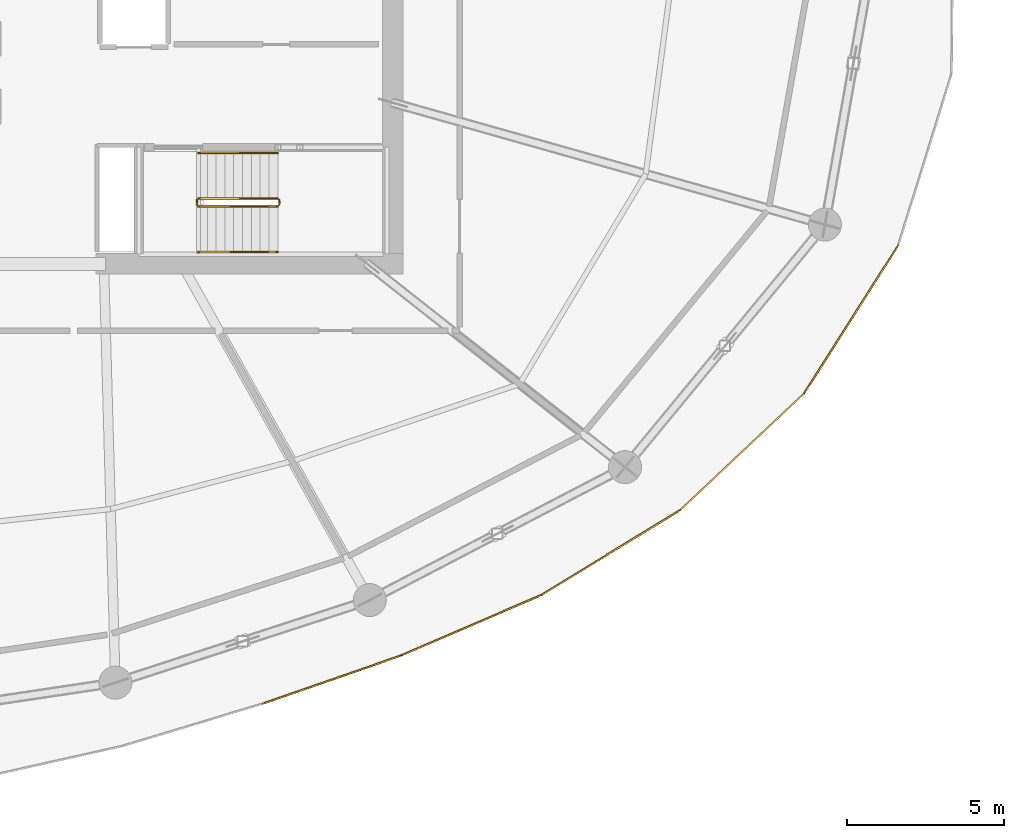
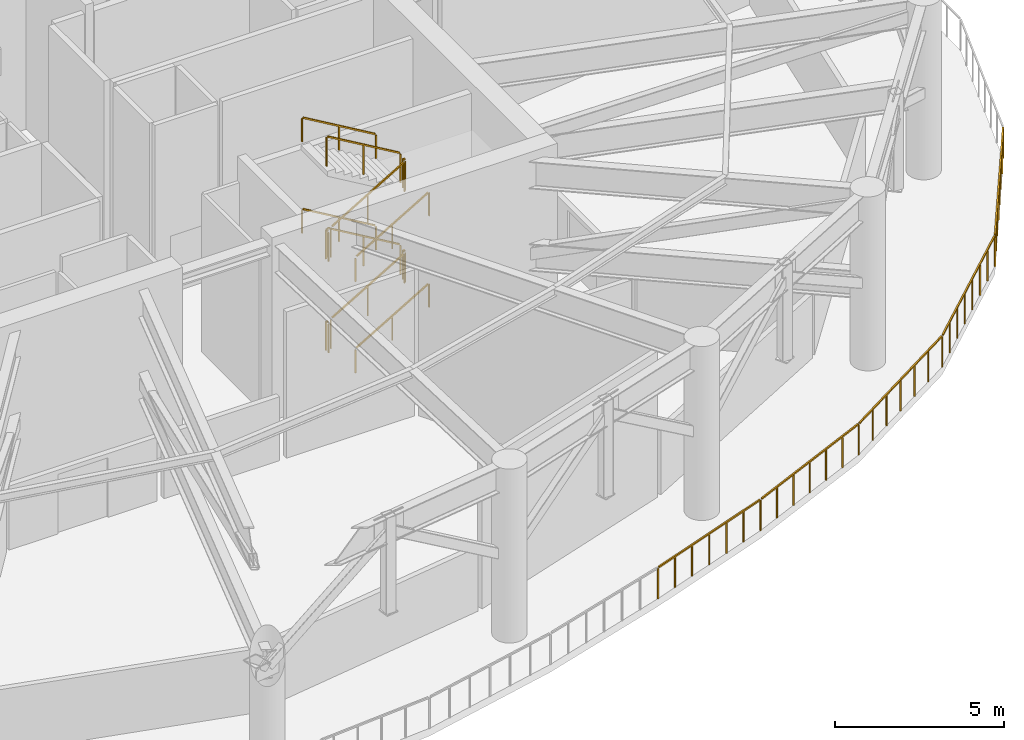
# One storey, part 18 of 20: 17 railings.
"""IFC4 building model written with IfcOpenShell, lengths in metres."""

from ifc_helpers import new_model, si_unit, direction, frame, origin, origin_2d, place, context, subcontext, project, spatial, rectangle, extrude, material, type_object, element, save


model = new_model("IFC4")

# Units and contexts
model_context = context("Model", 3, precision=1e-05, world=origin(), true_north=direction((0.0, 1.0)))
body_context = subcontext(model_context, "Body", "Model", "MODEL_VIEW")
ifc_project = project(units=[si_unit("LENGTHUNIT", "METRE"), si_unit("AREAUNIT", "SQUARE_METRE"), si_unit("VOLUMEUNIT", "CUBIC_METRE"), si_unit("PLANEANGLEUNIT", "RADIAN"), si_unit("MASSUNIT", "GRAM", prefix="KILO")], contexts=[model_context])

# Site, building, storey
site_placement = place(None, origin())
site = spatial("IfcSite", under=ifc_project, at=site_placement, CompositionType="ELEMENT")
building_placement = place(site_placement, origin())
building = spatial("IfcBuilding", under=site, at=building_placement, Name="Kazma Halo Residences", CompositionType="ELEMENT")
storey_placement = place(building_placement, frame((0.0, 0.0, 225.300048828125)))
storey = spatial("IfcBuildingStorey", under=building, at=storey_placement, Name="L57", CompositionType="ELEMENT", Elevation=225.300048828125)

# Railings
ifc_material_1 = material(Name="Brushed Stainless Steel and Laminated Glass", Category="steel")
railing_type_1 = type_object("IfcRailingType", Name="RLG-EXT-GUARD-1150", PredefinedType="GUARDRAIL", material=ifc_material_1)
railing_1_placement = place(storey_placement, frame((55.24609375, 19.698974609375, 0.0)))
element("IfcRailing", 1, at=railing_1_placement, inside=storey, type_object=railing_type_1, Name="L57 open wind-floor perimeter guard 25", PredefinedType="GUARDRAIL", context=body_context, shape_type="SweptSolid", body=[
    extrude(rectangle(XDim=0.050048828125, YDim=0.050048828125, at=origin_2d()), frame((0.040283203125, 0.013916015625, 1.125), z_axis=(0.944455672037, 0.328638834525, 0.0), x_axis=(-0.328638834525, 0.944455672037, 0.0)), (0.0, 0.0, 1.0), 4.56103515625),
    extrude(rectangle(XDim=0.0400390625, YDim=0.0400390625, at=origin_2d()), origin(), (0.0, 0.0, 1.0), 1.087890625),
    extrude(rectangle(XDim=0.0400390625, YDim=0.0400390625, at=origin_2d()), frame((0.7314453125, 0.25439453125, 0.0)), (0.0, 0.0, 1.0), 1.087890625),
    extrude(rectangle(XDim=0.0400390625, YDim=0.0400390625, at=origin_2d()), frame((1.462646484375, 0.509033203125, 0.0)), (0.0, 0.0, 1.0), 1.087890625),
    extrude(rectangle(XDim=0.0400390625, YDim=0.0400390625, at=origin_2d()), frame((2.19384765625, 0.763427734375, 0.0)), (0.0, 0.0, 1.0), 1.087890625),
    extrude(rectangle(XDim=0.0400390625, YDim=0.0400390625, at=origin_2d()), frame((2.92529296875, 1.017822265625, 0.0)), (0.0, 0.0, 1.0), 1.087890625),
    extrude(rectangle(XDim=0.0400390625, YDim=0.0400390625, at=origin_2d()), frame((3.65673828125, 1.2724609375, 0.0)), (0.0, 0.0, 1.0), 1.087890625),
    extrude(rectangle(XDim=0.0400390625, YDim=0.0400390625, at=origin_2d()), frame((4.387939453125, 1.52685546875, 0.0)), (0.0, 0.0, 1.0), 1.087890625),
])
railing_2_placement = place(storey_placement, frame((59.634033203125, 21.225830078125, 0.0)))
element("IfcRailing", 2, at=railing_2_placement, inside=storey, type_object=railing_type_1, Name="L57 open wind-floor perimeter guard 26", PredefinedType="GUARDRAIL", context=body_context, shape_type="SweptSolid", body=[
    extrude(rectangle(XDim=0.050048828125, YDim=0.050048828125, at=origin_2d()), frame((0.0390625, 0.016845703125, 1.125), z_axis=(0.918108041038, 0.396330196908, 0.0), x_axis=(-0.396330196908, 0.918108041038, 0.0)), (0.0, 0.0, 1.0), 4.7763671875),
    extrude(rectangle(XDim=0.0400390625, YDim=0.0400390625, at=origin_2d()), origin(), (0.0, 0.0, 1.0), 1.087890625),
    extrude(rectangle(XDim=0.0400390625, YDim=0.0400390625, at=origin_2d()), frame((0.743896484375, 0.321044921875, 0.0)), (0.0, 0.0, 1.0), 1.087890625),
    extrude(rectangle(XDim=0.0400390625, YDim=0.0400390625, at=origin_2d()), frame((1.48779296875, 0.642333984375, 0.0)), (0.0, 0.0, 1.0), 1.087890625),
    extrude(rectangle(XDim=0.0400390625, YDim=0.0400390625, at=origin_2d()), frame((2.231689453125, 0.96337890625, 0.0)), (0.0, 0.0, 1.0), 1.087890625),
    extrude(rectangle(XDim=0.0400390625, YDim=0.0400390625, at=origin_2d()), frame((2.9755859375, 1.284423828125, 0.0)), (0.0, 0.0, 1.0), 1.087890625),
    extrude(rectangle(XDim=0.0400390625, YDim=0.0400390625, at=origin_2d()), frame((3.719482421875, 1.605712890625, 0.0)), (0.0, 0.0, 1.0), 1.087890625),
    extrude(rectangle(XDim=0.0400390625, YDim=0.0400390625, at=origin_2d()), frame((4.46337890625, 1.9267578125, 0.0)), (0.0, 0.0, 1.0), 1.087890625),
])
railing_3_placement = place(storey_placement, frame((64.097412109375, 23.152587890625, 0.0)))
element("IfcRailing", 3, at=railing_3_placement, inside=storey, type_object=railing_type_1, Name="L57 open wind-floor perimeter guard 27", PredefinedType="GUARDRAIL", context=body_context, shape_type="SweptSolid", body=[
    extrude(rectangle(XDim=0.050048828125, YDim=0.050048828125, at=origin_2d()), frame((0.036376953125, 0.022216796875, 1.125), z_axis=(0.853291196556, 0.52143468803, 0.0), x_axis=(-0.52143468803, 0.853291196556, 0.0)), (0.0, 0.0, 1.0), 5.0712890625),
    extrude(rectangle(XDim=0.0400390625, YDim=0.0400390625, at=origin_2d()), origin(), (0.0, 0.0, 1.0), 1.087890625),
    extrude(rectangle(XDim=0.0400390625, YDim=0.0400390625, at=origin_2d()), frame((0.7333984375, 0.4482421875, 0.0)), (0.0, 0.0, 1.0), 1.087890625),
    extrude(rectangle(XDim=0.0400390625, YDim=0.0400390625, at=origin_2d()), frame((1.466552734375, 0.896240234375, 0.0)), (0.0, 0.0, 1.0), 1.087890625),
    extrude(rectangle(XDim=0.0400390625, YDim=0.0400390625, at=origin_2d()), frame((2.199951171875, 1.34423828125, 0.0)), (0.0, 0.0, 1.0), 1.087890625),
    extrude(rectangle(XDim=0.0400390625, YDim=0.0400390625, at=origin_2d()), frame((2.933349609375, 1.79248046875, 0.0)), (0.0, 0.0, 1.0), 1.087890625),
    extrude(rectangle(XDim=0.0400390625, YDim=0.0400390625, at=origin_2d()), frame((3.66650390625, 2.24072265625, 0.0)), (0.0, 0.0, 1.0), 1.087890625),
    extrude(rectangle(XDim=0.0400390625, YDim=0.0400390625, at=origin_2d()), frame((4.39990234375, 2.688720703125, 0.0)), (0.0, 0.0, 1.0), 1.087890625),
])
railing_4_placement = place(storey_placement, frame((68.497314453125, 25.84130859375, 0.0)))
element("IfcRailing", 4, at=railing_4_placement, inside=storey, type_object=railing_type_1, Name="L57 open wind-floor perimeter guard 28", PredefinedType="GUARDRAIL", context=body_context, shape_type="SweptSolid", body=[
    extrude(rectangle(XDim=0.050048828125, YDim=0.050048828125, at=origin_2d()), frame((0.031005859375, 0.029052734375, 1.125), z_axis=(0.728262260759, 0.685298533162, 0.0), x_axis=(-0.685298533162, 0.728262260759, 0.0)), (0.0, 0.0, 1.0), 5.32470703125),
    extrude(rectangle(XDim=0.0400390625, YDim=0.0400390625, at=origin_2d()), origin(), (0.0, 0.0, 1.0), 1.087890625),
    extrude(rectangle(XDim=0.0400390625, YDim=0.0400390625, at=origin_2d()), frame((0.562744140625, 0.529541015625, 0.0)), (0.0, 0.0, 1.0), 1.087890625),
    extrude(rectangle(XDim=0.0400390625, YDim=0.0400390625, at=origin_2d()), frame((1.125732421875, 1.059326171875, 0.0)), (0.0, 0.0, 1.0), 1.087890625),
    extrude(rectangle(XDim=0.0400390625, YDim=0.0400390625, at=origin_2d()), frame((1.6884765625, 1.5888671875, 0.0)), (0.0, 0.0, 1.0), 1.087890625),
    extrude(rectangle(XDim=0.0400390625, YDim=0.0400390625, at=origin_2d()), frame((2.251220703125, 2.118408203125, 0.0)), (0.0, 0.0, 1.0), 1.087890625),
    extrude(rectangle(XDim=0.0400390625, YDim=0.0400390625, at=origin_2d()), frame((2.81396484375, 2.64794921875, 0.0)), (0.0, 0.0, 1.0), 1.087890625),
    extrude(rectangle(XDim=0.0400390625, YDim=0.0400390625, at=origin_2d()), frame((3.376953125, 3.177734375, 0.0)), (0.0, 0.0, 1.0), 1.087890625),
    extrude(rectangle(XDim=0.0400390625, YDim=0.0400390625, at=origin_2d()), frame((3.939697265625, 3.707275390625, 0.0)), (0.0, 0.0, 1.0), 1.087890625),
])
railing_5_placement = place(storey_placement, frame((72.43701171875, 29.548583984375, 0.0)))
element("IfcRailing", 5, at=railing_5_placement, inside=storey, type_object=railing_type_1, Name="L57 open wind-floor perimeter guard 29", PredefinedType="GUARDRAIL", context=body_context, shape_type="SweptSolid", body=[
    extrude(rectangle(XDim=0.050048828125, YDim=0.050048828125, at=origin_2d()), frame((0.02294921875, 0.035888671875, 1.125), z_axis=(0.537030991497, 0.843562513494, 0.0), x_axis=(-0.843562513494, 0.537030991497, 0.0)), (0.0, 0.0, 1.0), 5.502197265625),
    extrude(rectangle(XDim=0.0400390625, YDim=0.0400390625, at=origin_2d()), origin(), (0.0, 0.0, 1.0), 1.087890625),
    extrude(rectangle(XDim=0.0400390625, YDim=0.0400390625, at=origin_2d()), frame((0.4287109375, 0.67333984375, 0.0)), (0.0, 0.0, 1.0), 1.087890625),
    extrude(rectangle(XDim=0.0400390625, YDim=0.0400390625, at=origin_2d()), frame((0.857177734375, 1.3466796875, 0.0)), (0.0, 0.0, 1.0), 1.087890625),
    extrude(rectangle(XDim=0.0400390625, YDim=0.0400390625, at=origin_2d()), frame((1.285888671875, 2.02001953125, 0.0)), (0.0, 0.0, 1.0), 1.087890625),
    extrude(rectangle(XDim=0.0400390625, YDim=0.0400390625, at=origin_2d()), frame((1.714599609375, 2.693115234375, 0.0)), (0.0, 0.0, 1.0), 1.087890625),
    extrude(rectangle(XDim=0.0400390625, YDim=0.0400390625, at=origin_2d()), frame((2.143310546875, 3.366455078125, 0.0)), (0.0, 0.0, 1.0), 1.087890625),
    extrude(rectangle(XDim=0.0400390625, YDim=0.0400390625, at=origin_2d()), frame((2.57177734375, 4.039794921875, 0.0)), (0.0, 0.0, 1.0), 1.087890625),
    extrude(rectangle(XDim=0.0400390625, YDim=0.0400390625, at=origin_2d()), frame((3.00048828125, 4.713134765625, 0.0)), (0.0, 0.0, 1.0), 1.087890625),
])
ifc_material_2 = material(Name="Painted Steel S355", Category="steel")
railing_type_2 = type_object("IfcRailingType", Name="RLG-STAIR-GRD-1100", PredefinedType="GUARDRAIL", material=ifc_material_2)
railing_6_placement = place(storey_placement, frame((53.199951171875, 35.5, 0.1650390625)))
element("IfcRailing", 6, at=railing_6_placement, inside=storey, type_object=railing_type_2, Name="L57 ST-03 stair guard 1", PredefinedType="GUARDRAIL", context=body_context, shape_type="SweptSolid", body=[
    extrude(rectangle(XDim=0.050048828125, YDim=0.050048828125, at=origin_2d()), frame((0.03662109375, 0.0, 1.0966796875), z_axis=(0.861560626758, 0.0, 0.507654692109), x_axis=(0.0, 1.0, 0.0)), (0.0, 0.0, 1.0), 2.83984375),
    extrude(rectangle(XDim=0.0400390625, YDim=0.0400390625, at=origin_2d()), origin(), (0.0, 0.0, 1.0), 1.0380859375),
    extrude(rectangle(XDim=0.0400390625, YDim=0.0400390625, at=origin_2d()), frame((1.260009765625, 0.0, 0.742431640625)), (0.0, 0.0, 1.0), 1.0380859375),
    extrude(rectangle(XDim=0.0400390625, YDim=0.0400390625, at=origin_2d()), frame((2.52001953125, 0.0, 1.48486328125)), (0.0, 0.0, 1.0), 1.0380859375),
])
railing_7_placement = place(storey_placement, frame((55.77001953125, 35.550048828125, 1.64990234375)))
element("IfcRailing", 7, at=railing_7_placement, inside=storey, type_object=railing_type_2, Name="L57 ST-03 stair guard 2", PredefinedType="GUARDRAIL", context=body_context, shape_type="SweptSolid", body=[
    extrude(rectangle(XDim=0.050048828125, YDim=0.050048828125, at=origin_2d()), frame((0.0, 0.04248046875, 1.0751953125), z_axis=(0.0, 1.0, 0.0), x_axis=(-1.0, 0.0, 0.0)), (0.0, 0.0, 1.0), 0.06494140625),
    extrude(rectangle(XDim=0.0400390625, YDim=0.0400390625, at=origin_2d()), origin(), (0.0, 0.0, 1.0), 1.0380859375),
    extrude(rectangle(XDim=0.0400390625, YDim=0.0400390625, at=origin_2d()), frame((0.0, 0.14990234375, 0.0)), (0.0, 0.0, 1.0), 1.0380859375),
])
railing_8_placement = place(storey_placement, frame((55.719970703125, 35.75, 1.81494140625)))
element("IfcRailing", 8, at=railing_8_placement, inside=storey, type_object=railing_type_2, Name="L57 ST-03 stair guard 3", PredefinedType="GUARDRAIL", context=body_context, shape_type="SweptSolid", body=[
    extrude(rectangle(XDim=0.050048828125, YDim=0.050048828125, at=origin_2d()), frame((-0.03662109375, 0.0, 1.0966796875), z_axis=(-0.86152411907, 0.0, 0.507716645641), x_axis=(0.0, -1.0, 0.0)), (0.0, 0.0, 1.0), 2.840087890625),
    extrude(rectangle(XDim=0.0400390625, YDim=0.0400390625, at=origin_2d()), origin(), (0.0, 0.0, 1.0), 1.0380859375),
    extrude(rectangle(XDim=0.0400390625, YDim=0.0400390625, at=origin_2d()), frame((-1.260009765625, 0.0, 0.74267578125)), (0.0, 0.0, 1.0), 1.0380859375),
    extrude(rectangle(XDim=0.0400390625, YDim=0.0400390625, at=origin_2d()), frame((-2.52001953125, 0.0, 1.485107421875)), (0.0, 0.0, 1.0), 1.0380859375),
])
railing_9_placement = place(storey_placement, frame((53.14990234375, 35.550048828125, 3.300048828125)))
element("IfcRailing", 9, at=railing_9_placement, inside=storey, type_object=railing_type_2, Name="L57 ST-03 stair guard 4", PredefinedType="GUARDRAIL", context=body_context, shape_type="SweptSolid", body=[
    extrude(rectangle(XDim=0.050048828125, YDim=0.050048828125, at=origin_2d()), frame((0.0, 0.04248046875, 1.0751953125), z_axis=(0.0, 1.0, 0.0), x_axis=(-1.0, 0.0, 0.0)), (0.0, 0.0, 1.0), 0.06494140625),
    extrude(rectangle(XDim=0.0400390625, YDim=0.0400390625, at=origin_2d()), origin(), (0.0, 0.0, 1.0), 1.0380859375),
    extrude(rectangle(XDim=0.0400390625, YDim=0.0400390625, at=origin_2d()), frame((0.0, 0.14990234375, 0.0)), (0.0, 0.0, 1.0), 1.0380859375),
])
railing_10_placement = place(storey_placement, frame((53.199951171875, 35.5, 3.46484375)))
element("IfcRailing", 10, at=railing_10_placement, inside=storey, type_object=railing_type_2, Name="L57 ST-03 stair guard 5", PredefinedType="GUARDRAIL", context=body_context, shape_type="SweptSolid", body=[
    extrude(rectangle(XDim=0.050048828125, YDim=0.050048828125, at=origin_2d()), frame((0.03662109375, 0.0, 1.0966796875), z_axis=(0.86152411907, 0.0, 0.507716645641), x_axis=(0.0, 1.0, 0.0)), (0.0, 0.0, 1.0), 2.840087890625),
    extrude(rectangle(XDim=0.0400390625, YDim=0.0400390625, at=origin_2d()), origin(), (0.0, 0.0, 1.0), 1.0380859375),
    extrude(rectangle(XDim=0.0400390625, YDim=0.0400390625, at=origin_2d()), frame((1.260009765625, 0.0, 0.74267578125)), (0.0, 0.0, 1.0), 1.0380859375),
    extrude(rectangle(XDim=0.0400390625, YDim=0.0400390625, at=origin_2d()), frame((2.52001953125, 0.0, 1.485107421875)), (0.0, 0.0, 1.0), 1.0380859375),
])
railing_11_placement = place(storey_placement, frame((55.77001953125, 35.550048828125, 4.949951171875)))
element("IfcRailing", 11, at=railing_11_placement, inside=storey, type_object=railing_type_2, Name="L57 ST-03 stair guard 6", PredefinedType="GUARDRAIL", context=body_context, shape_type="SweptSolid", body=[
    extrude(rectangle(XDim=0.050048828125, YDim=0.050048828125, at=origin_2d()), frame((0.0, 0.04248046875, 1.0751953125), z_axis=(0.0, 1.0, 0.0), x_axis=(-1.0, 0.0, 0.0)), (0.0, 0.0, 1.0), 0.06494140625),
    extrude(rectangle(XDim=0.0400390625, YDim=0.0400390625, at=origin_2d()), origin(), (0.0, 0.0, 1.0), 1.0380859375),
    extrude(rectangle(XDim=0.0400390625, YDim=0.0400390625, at=origin_2d()), frame((0.0, 0.14990234375, 0.0)), (0.0, 0.0, 1.0), 1.0380859375),
])
railing_12_placement = place(storey_placement, frame((55.719970703125, 35.75, 5.114990234375)))
element("IfcRailing", 12, at=railing_12_placement, inside=storey, type_object=railing_type_2, Name="L57 ST-03 stair guard 7", PredefinedType="GUARDRAIL", context=body_context, shape_type="SweptSolid", body=[
    extrude(rectangle(XDim=0.050048828125, YDim=0.050048828125, at=origin_2d()), frame((-0.03662109375, 0.0, 1.0966796875), z_axis=(-0.861560626758, 0.0, 0.507654692109), x_axis=(0.0, -1.0, 0.0)), (0.0, 0.0, 1.0), 2.83984375),
    extrude(rectangle(XDim=0.0400390625, YDim=0.0400390625, at=origin_2d()), origin(), (0.0, 0.0, 1.0), 1.0380859375),
    extrude(rectangle(XDim=0.0400390625, YDim=0.0400390625, at=origin_2d()), frame((-1.260009765625, 0.0, 0.742431640625)), (0.0, 0.0, 1.0), 1.0380859375),
    extrude(rectangle(XDim=0.0400390625, YDim=0.0400390625, at=origin_2d()), frame((-2.52001953125, 0.0, 1.48486328125)), (0.0, 0.0, 1.0), 1.0380859375),
])
railing_13_placement = place(storey_placement, frame((53.14990234375, 35.550048828125, 0.0)))
element("IfcRailing", 13, at=railing_13_placement, inside=storey, type_object=railing_type_2, Name="L57 ST-03 stair guard 8", PredefinedType="GUARDRAIL", context=body_context, shape_type="SweptSolid", body=[
    extrude(rectangle(XDim=0.050048828125, YDim=0.050048828125, at=origin_2d()), frame((0.0, 0.04248046875, 1.0751953125), z_axis=(0.0, 1.0, 0.0), x_axis=(-1.0, 0.0, 0.0)), (0.0, 0.0, 1.0), 0.06494140625),
    extrude(rectangle(XDim=0.0400390625, YDim=0.0400390625, at=origin_2d()), origin(), (0.0, 0.0, 1.0), 1.0380859375),
    extrude(rectangle(XDim=0.0400390625, YDim=0.0400390625, at=origin_2d()), frame((0.0, 0.14990234375, 0.0)), (0.0, 0.0, 1.0), 1.0380859375),
])
ifc_material_3 = material(Name="Brushed Stainless Steel", Category="steel")
railing_type_3 = type_object("IfcRailingType", Name="RLG-STAIR-HND-900", PredefinedType="HANDRAIL", material=ifc_material_3)
railing_14_placement = place(storey_placement, frame((53.199951171875, 34.050048828125, 0.1650390625)))
element("IfcRailing", 14, at=railing_14_placement, inside=storey, type_object=railing_type_3, Name="L57 ST-03 stair handrail 1", PredefinedType="HANDRAIL", context=body_context, shape_type="SweptSolid", body=[
    extrude(rectangle(XDim=0.050048828125, YDim=0.050048828125, at=origin_2d()), frame((0.03662109375, 0.0, 0.896484375), z_axis=(0.861560626758, 0.0, 0.507654692109), x_axis=(0.0, 1.0, 0.0)), (0.0, 0.0, 1.0), 2.83984375),
    extrude(rectangle(XDim=0.0400390625, YDim=0.0400390625, at=origin_2d()), origin(), (0.0, 0.0, 1.0), 0.837890625),
    extrude(rectangle(XDim=0.0400390625, YDim=0.0400390625, at=origin_2d()), frame((1.260009765625, 0.0, 0.742431640625)), (0.0, 0.0, 1.0), 0.837890625),
    extrude(rectangle(XDim=0.0400390625, YDim=0.0400390625, at=origin_2d()), frame((2.52001953125, 0.0, 1.48486328125)), (0.0, 0.0, 1.0), 0.837890625),
])
railing_15_placement = place(storey_placement, frame((55.719970703125, 37.199951171875, 1.81494140625)))
element("IfcRailing", 15, at=railing_15_placement, inside=storey, type_object=railing_type_3, Name="L57 ST-03 stair handrail 2", PredefinedType="HANDRAIL", context=body_context, shape_type="SweptSolid", body=[
    extrude(rectangle(XDim=0.050048828125, YDim=0.050048828125, at=origin_2d()), frame((-0.03662109375, 0.0, 0.896484375), z_axis=(-0.86152411907, 0.0, 0.507716645641), x_axis=(0.0, -1.0, 0.0)), (0.0, 0.0, 1.0), 2.840087890625),
    extrude(rectangle(XDim=0.0400390625, YDim=0.0400390625, at=origin_2d()), origin(), (0.0, 0.0, 1.0), 0.837890625),
    extrude(rectangle(XDim=0.0400390625, YDim=0.0400390625, at=origin_2d()), frame((-1.260009765625, 0.0, 0.74267578125)), (0.0, 0.0, 1.0), 0.837890625),
    extrude(rectangle(XDim=0.0400390625, YDim=0.0400390625, at=origin_2d()), frame((-2.52001953125, 0.0, 1.485107421875)), (0.0, 0.0, 1.0), 0.837890625),
])
railing_16_placement = place(storey_placement, frame((53.199951171875, 34.050048828125, 3.46484375)))
element("IfcRailing", 16, at=railing_16_placement, inside=storey, type_object=railing_type_3, Name="L57 ST-03 stair handrail 3", PredefinedType="HANDRAIL", context=body_context, shape_type="SweptSolid", body=[
    extrude(rectangle(XDim=0.050048828125, YDim=0.050048828125, at=origin_2d()), frame((0.03662109375, 0.0, 0.896484375), z_axis=(0.86152411907, 0.0, 0.507716645641), x_axis=(0.0, 1.0, 0.0)), (0.0, 0.0, 1.0), 2.840087890625),
    extrude(rectangle(XDim=0.0400390625, YDim=0.0400390625, at=origin_2d()), origin(), (0.0, 0.0, 1.0), 0.837890625),
    extrude(rectangle(XDim=0.0400390625, YDim=0.0400390625, at=origin_2d()), frame((1.260009765625, 0.0, 0.74267578125)), (0.0, 0.0, 1.0), 0.837890625),
    extrude(rectangle(XDim=0.0400390625, YDim=0.0400390625, at=origin_2d()), frame((2.52001953125, 0.0, 1.485107421875)), (0.0, 0.0, 1.0), 0.837890625),
])
railing_17_placement = place(storey_placement, frame((55.719970703125, 37.199951171875, 5.114990234375)))
element("IfcRailing", 17, at=railing_17_placement, inside=storey, type_object=railing_type_3, Name="L57 ST-03 stair handrail 4", PredefinedType="HANDRAIL", context=body_context, shape_type="SweptSolid", body=[
    extrude(rectangle(XDim=0.050048828125, YDim=0.050048828125, at=origin_2d()), frame((-0.03662109375, 0.0, 0.896484375), z_axis=(-0.861560626758, 0.0, 0.507654692109), x_axis=(0.0, -1.0, 0.0)), (0.0, 0.0, 1.0), 2.83984375),
    extrude(rectangle(XDim=0.0400390625, YDim=0.0400390625, at=origin_2d()), origin(), (0.0, 0.0, 1.0), 0.837890625),
    extrude(rectangle(XDim=0.0400390625, YDim=0.0400390625, at=origin_2d()), frame((-1.260009765625, 0.0, 0.742431640625)), (0.0, 0.0, 1.0), 0.837890625),
    extrude(rectangle(XDim=0.0400390625, YDim=0.0400390625, at=origin_2d()), frame((-2.52001953125, 0.0, 1.48486328125)), (0.0, 0.0, 1.0), 0.837890625),
])

save(model, "model.ifc")
